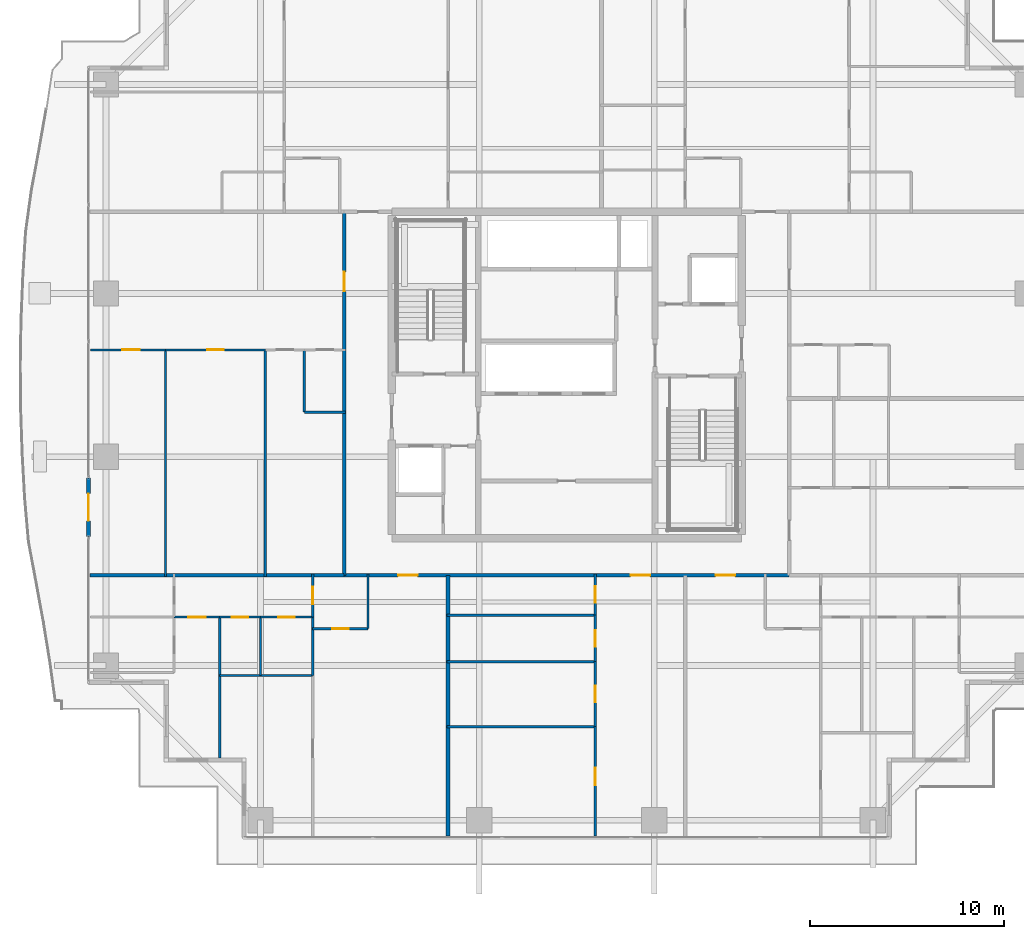
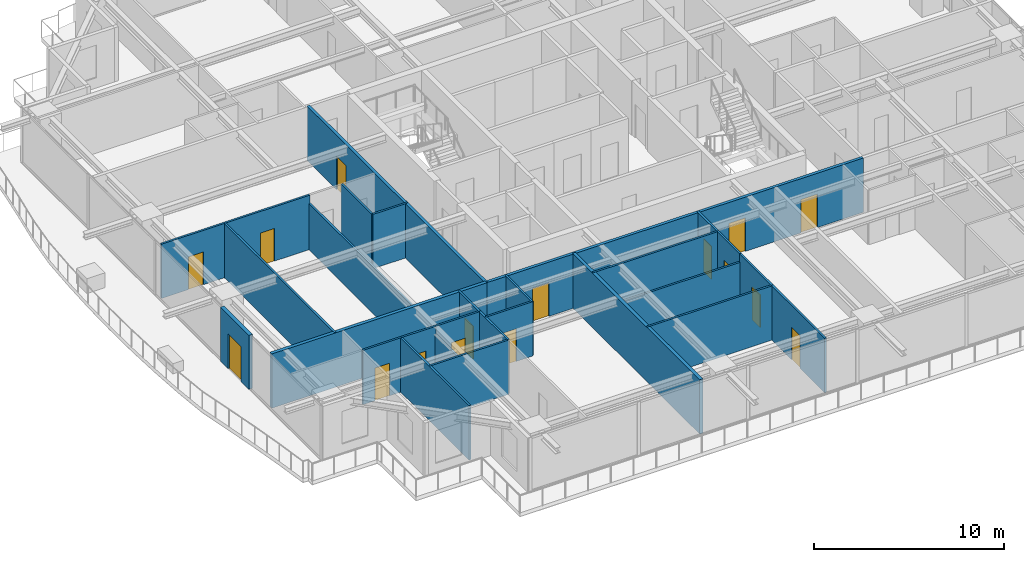
# One storey, part 27 of 38: 28 walls, 16 doors, 16 openings.
"""IFC4 building model written with IfcOpenShell, lengths in metres."""

from ifc_helpers import new_model, si_unit, direction, frame, frame_2d, origin, place, context, subcontext, project, spatial, rectangle, extrude, source, transform, mapped, material, layer, layer_set, type_object, element, fill, save


model = new_model("IFC4")

# Units and contexts
model_context = context("Model", 3, precision=1e-05, world=origin(), true_north=direction((0.0, 1.0)))
body_context = subcontext(model_context, "Body", "Model", "MODEL_VIEW")
ifc_project = project(units=[si_unit("LENGTHUNIT", "METRE"), si_unit("AREAUNIT", "SQUARE_METRE"), si_unit("VOLUMEUNIT", "CUBIC_METRE"), si_unit("PLANEANGLEUNIT", "RADIAN"), si_unit("MASSUNIT", "GRAM", prefix="KILO")], contexts=[model_context])

# Site, building, storey
site_placement = place(None, origin())
site = spatial("IfcSite", under=ifc_project, at=site_placement, CompositionType="ELEMENT")
building_placement = place(site_placement, origin())
building = spatial("IfcBuilding", under=site, at=building_placement, Name="Serunith Strait Residences", CompositionType="ELEMENT")
storey_placement = place(building_placement, frame((0.0, 0.0, 183.89990234375)))
storey = spatial("IfcBuildingStorey", under=building, at=storey_placement, Name="L46", CompositionType="ELEMENT", Elevation=183.89990234375)

# Wall, opening, door
ifc_material_1 = material(Name="Pale-Champagne Aluminium Insulated Panel", Category="aluminium")
ifc_layer_1 = layer(ifc_material_1, 0.219970703125, Name="Pale-Champagne Aluminium Insulated Panel")
ifc_layer_set_1 = layer_set([ifc_layer_1], Name="Pale-Champagne Aluminium Insulated Panel")
wall_type_1 = type_object("IfcWallType", Name="EW-ALUM-220", PredefinedType="ELEMENTEDWALL", material=ifc_layer_set_1)
wall_1_placement = place(storey_placement, frame((7.800048828125, 19.89990234375, 0.0), z_axis=(0.0, 0.0, 1.0), x_axis=(0.0, -1.0, 0.0)))
wall_1 = element("IfcWall", 1, at=wall_1_placement, inside=storey, type_object=wall_type_1, Name="L46 W Facade Pier Wall", PredefinedType="ELEMENTEDWALL", context=body_context, shape_type="SweptSolid", body=[
    extrude(rectangle(XDim=3.0, YDim=0.219970703125, at=frame_2d((1.5, 0.0))), origin(), (0.0, 0.0, 1.0), 3.47509765625),
])
opening_1_placement = place(wall_1_placement, frame((0.800048828125, 0.0, 0.0)))
opening_1 = element("IfcOpeningElement", 2, at=opening_1_placement, cuts=wall_1, Name="Opening ED-04", PredefinedType="OPENING", context=body_context, shape_type="SweptSolid", body=[
    extrude(rectangle(XDim=1.39990234375, YDim=2.25, at=frame_2d((0.699951171875, 1.125))), frame((0.0, 0.1201171875, 0.0), z_axis=(0.0, -1.0, 0.0), x_axis=(1.0, 0.0, 0.0)), (0.0, 0.0, 1.0), 0.239990234375),
])
ifc_material_2 = material(Name="Thermally-Broken Aluminium Sliding Balcony Door", Category="aluminium")
door_type_1 = type_object("IfcDoorType", Name="ED-BALC-1400", OperationType="NOTDEFINED", PredefinedType="DOOR", material=ifc_material_2)
shared_shape_1 = source(origin(), body_context, "Body", "SweptSolid", [
    extrude(rectangle(XDim=1.39990234375, YDim=2.25, at=frame_2d((0.699951171875, 1.125))), frame((0.0, 0.02490234375, 0.0), z_axis=(0.0, -1.0, 0.0), x_axis=(1.0, 0.0, 0.0)), (0.0, 0.0, 1.0), 0.050048828125),
])
door_1_placement = place(opening_1_placement, origin())
door_1 = element("IfcDoor", 3, at=door_1_placement, inside=storey, type_object=door_type_1, Name="L46 W Vertical-Forest Balcony Door", OperationType="SLIDING_TO_LEFT", OverallHeight=2.25, OverallWidth=1.39990234375, PredefinedType="DOOR", context=body_context, shape_type="MappedRepresentation", body=[
    mapped(shared_shape_1, transform((0.0, 0.0, 0.0), scale=1.0)),
])
fill(opening_1, door_1)

# Wall, openings, doors
ifc_material_3 = material(Name="Fire-rated acoustic gypsum partition")
ifc_layer_2 = layer(ifc_material_3, 0.179931640625, Name="Fire-rated acoustic gypsum partition")
ifc_layer_set_2 = layer_set([ifc_layer_2], Name="Fire-rated acoustic gypsum partition")
wall_type_2 = type_object("IfcWallType", Name="IW-CORR-180", PredefinedType="PARTITIONING", material=ifc_layer_set_2)
wall_2_placement = place(storey_placement, frame((20.951904296875, 14.89990234375, 0.0), z_axis=(0.0, 0.0, 1.0), x_axis=(1.0, 0.0, 0.0)))
wall_2 = element("IfcWall", 4, at=wall_2_placement, inside=storey, type_object=wall_type_2, Name="L46 Partition Wall 023", PredefinedType="PARTITIONING", context=body_context, shape_type="SweptSolid", body=[
    extrude(rectangle(XDim=22.89599609375, YDim=0.179931640625, at=frame_2d((11.447998046875, 0.0))), origin(), (0.0, 0.0, 1.0), 3.489990234375),
])
opening_2_placement = place(wall_2_placement, frame((2.781005859375, 0.0, 0.0)))
opening_2 = element("IfcOpeningElement", 5, at=opening_2_placement, cuts=wall_2, Name="Opening D-APT1000", PredefinedType="OPENING", context=body_context, shape_type="SweptSolid", body=[
    extrude(rectangle(XDim=1.0, YDim=2.14990234375, at=frame_2d((0.5, 1.074951171875))), frame((0.0, 0.10009765625, 0.0), z_axis=(0.0, -1.0, 0.0), x_axis=(1.0, 0.0, 0.0)), (0.0, 0.0, 1.0), 0.199951171875),
])
opening_3_placement = place(wall_2_placement, frame((14.736083984375, 0.0, 0.0)))
opening_3 = element("IfcOpeningElement", 6, at=opening_3_placement, cuts=wall_2, Name="Opening D-APT1000", PredefinedType="OPENING", context=body_context, shape_type="SweptSolid", body=[
    extrude(rectangle(XDim=1.0, YDim=2.14990234375, at=frame_2d((0.5, 1.074951171875))), frame((0.0, 0.10009765625, 0.0), z_axis=(0.0, -1.0, 0.0), x_axis=(1.0, 0.0, 0.0)), (0.0, 0.0, 1.0), 0.199951171875),
])
opening_4_placement = place(wall_2_placement, frame((19.114990234375, 0.0, 0.0)))
opening_4 = element("IfcOpeningElement", 7, at=opening_4_placement, cuts=wall_2, Name="Opening D-APT1000", PredefinedType="OPENING", context=body_context, shape_type="SweptSolid", body=[
    extrude(rectangle(XDim=1.0, YDim=2.14990234375, at=frame_2d((0.5, 1.074951171875))), frame((0.0, 0.10009765625, 0.0), z_axis=(0.0, -1.0, 0.0), x_axis=(1.0, 0.0, 0.0)), (0.0, 0.0, 1.0), 0.199951171875),
])
ifc_material_4 = material(Name="Solid timber engineered fire door", Category="wood")
door_type_2 = type_object("IfcDoorType", Name="ID-APT-1000", OperationType="NOTDEFINED", PredefinedType="DOOR", material=ifc_material_4)
shared_shape_2 = source(origin(), body_context, "Body", "SweptSolid", [
    extrude(rectangle(XDim=1.0, YDim=2.14990234375, at=frame_2d((0.5, 1.074951171875))), frame((0.0, 0.02490234375, 0.0), z_axis=(0.0, -1.0, 0.0), x_axis=(1.0, 0.0, 0.0)), (0.0, 0.0, 1.0), 0.050048828125),
])
door_2_placement = place(opening_2_placement, origin())
door_2 = element("IfcDoor", 8, at=door_2_placement, inside=storey, type_object=door_type_2, Name="L46 Unit 01 Entrance Door", OperationType="SINGLE_SWING_LEFT", OverallHeight=2.14990234375, OverallWidth=1.0, PredefinedType="DOOR", context=body_context, shape_type="MappedRepresentation", body=[
    mapped(shared_shape_2, transform((0.0, 0.0, 0.0), scale=1.0)),
])
fill(opening_2, door_2)
door_3_placement = place(opening_3_placement, origin())
door_3 = element("IfcDoor", 9, at=door_3_placement, inside=storey, type_object=door_type_2, Name="L46 Unit 02 Entrance Door", OperationType="SINGLE_SWING_RIGHT", OverallHeight=2.14990234375, OverallWidth=1.0, PredefinedType="DOOR", context=body_context, shape_type="MappedRepresentation", body=[
    mapped(shared_shape_2, transform((0.0, 0.0, 0.0), scale=1.0)),
])
fill(opening_3, door_3)
door_4_placement = place(opening_4_placement, origin())
door_4 = element("IfcDoor", 10, at=door_4_placement, inside=storey, type_object=door_type_2, Name="L46 Unit 03 Entrance Door", OperationType="SINGLE_SWING_LEFT", OverallHeight=2.14990234375, OverallWidth=1.0, PredefinedType="DOOR", context=body_context, shape_type="MappedRepresentation", body=[
    mapped(shared_shape_2, transform((0.0, 0.0, 0.0), scale=1.0)),
])
fill(opening_4, door_4)

# Wall, opening, door
wall_3_placement = place(storey_placement, frame((20.949951171875, 14.89990234375, 0.0), z_axis=(0.0, 0.0, 1.0), x_axis=(0.0, 1.0, 0.0)))
wall_3 = element("IfcWall", 11, at=wall_3_placement, inside=storey, type_object=wall_type_2, Name="L46 Partition Wall 024", PredefinedType="PARTITIONING", context=body_context, shape_type="SweptSolid", body=[
    extrude(rectangle(XDim=18.7001953125, YDim=0.179931640625, at=frame_2d((9.35009765625, 0.0))), origin(), (0.0, 0.0, 1.0), 3.489990234375),
])
opening_5_placement = place(wall_3_placement, frame((14.60302734375, 0.0, 0.0)))
opening_5 = element("IfcOpeningElement", 12, at=opening_5_placement, cuts=wall_3, Name="Opening D-APT1000", PredefinedType="OPENING", context=body_context, shape_type="SweptSolid", body=[
    extrude(rectangle(XDim=1.0, YDim=2.14990234375, at=frame_2d((0.5, 1.074951171875))), frame((0.0, 0.10009765625, 0.0), z_axis=(0.0, -1.0, 0.0), x_axis=(1.0, 0.0, 0.0)), (0.0, 0.0, 1.0), 0.199951171875),
])
door_5_placement = place(opening_5_placement, origin())
door_5 = element("IfcDoor", 13, at=door_5_placement, inside=storey, type_object=door_type_2, Name="L46 Unit 06 Entrance Door", OperationType="SINGLE_SWING_RIGHT", OverallHeight=2.14990234375, OverallWidth=1.0, PredefinedType="DOOR", context=body_context, shape_type="MappedRepresentation", body=[
    mapped(shared_shape_2, transform((0.0, 0.0, 0.0), scale=1.0)),
])
fill(opening_5, door_5)

ifc_material_5 = material(Name="Lightweight steel-stud gypsum partition", Category="steel")
ifc_layer_3 = layer(ifc_material_5, 0.1201171875, Name="Lightweight steel-stud gypsum partition")
ifc_layer_set_3 = layer_set([ifc_layer_3], Name="Lightweight steel-stud gypsum partition")
wall_type_3 = type_object("IfcWallType", Name="IW-PART-120", PredefinedType="PARTITIONING", material=ifc_layer_set_3)
wall_4_placement = place(storey_placement, frame((19.330078125, 12.14990234375, 0.0), z_axis=(0.0, 0.0, 1.0), x_axis=(1.0, 0.0, 0.0)))
wall_4 = element("IfcWall", 14, at=wall_4_placement, inside=storey, type_object=wall_type_3, Name="L46 Partition Wall 028", PredefinedType="PARTITIONING", context=body_context, shape_type="SweptSolid", body=[
    extrude(rectangle(XDim=2.849853515625, YDim=0.1201171875, at=frame_2d((1.4248046875, 0.0))), origin(), (0.0, 0.0, 1.0), 3.489990234375),
])
opening_6_placement = place(wall_4_placement, frame((1.0, 0.0, 0.0)))
opening_6 = element("IfcOpeningElement", 15, at=opening_6_placement, cuts=wall_4, Name="Opening D-RM850", PredefinedType="OPENING", context=body_context, shape_type="SweptSolid", body=[
    extrude(rectangle(XDim=0.85009765625, YDim=2.10009765625, at=frame_2d((0.425048828125, 1.050048828125))), frame((0.0, 0.070068359375, 0.0), z_axis=(0.0, -1.0, 0.0), x_axis=(1.0, 0.0, 0.0)), (0.0, 0.0, 1.0), 0.14013671875),
])
ifc_material_6 = material(Name="Engineered timber flush study and kitchen door", Category="wood")
door_type_3 = type_object("IfcDoorType", Name="ID-ROOM-850", OperationType="NOTDEFINED", PredefinedType="DOOR", material=ifc_material_6)
shared_shape_3 = source(origin(), body_context, "Body", "SweptSolid", [
    extrude(rectangle(XDim=0.85009765625, YDim=2.10009765625, at=frame_2d((0.425048828125, 1.050048828125))), frame((0.0, 0.02490234375, 0.0), z_axis=(0.0, -1.0, 0.0), x_axis=(1.0, 0.0, 0.0)), (0.0, 0.0, 1.0), 0.050048828125),
])
door_6_placement = place(opening_6_placement, origin())
door_6 = element("IfcDoor", 16, at=door_6_placement, inside=storey, type_object=door_type_3, Name="L46 Kitchen 4601 Door", OperationType="SINGLE_SWING_LEFT", OverallHeight=2.10009765625, OverallWidth=0.85009765625, PredefinedType="DOOR", context=body_context, shape_type="MappedRepresentation", body=[
    mapped(shared_shape_3, transform((0.0, 0.0, 0.0), scale=1.0)),
])
fill(opening_6, door_6)

# Wall
wall_5_placement = place(storey_placement, frame((22.179931640625, 12.14990234375, 0.0), z_axis=(0.0, 0.0, 1.0), x_axis=(0.0, 1.0, 0.0)))
element("IfcWall", 17, at=wall_5_placement, inside=storey, type_object=wall_type_3, Name="L46 Partition Wall 029", PredefinedType="PARTITIONING", context=body_context, shape_type="SweptSolid", body=[
    extrude(rectangle(XDim=2.81005859375, YDim=0.1201171875, at=frame_2d((1.405029296875, 0.0))), origin(), (0.0, 0.0, 1.0), 3.489990234375),
])

# Wall, opening, door
wall_6_placement = place(storey_placement, frame((19.330078125, 12.75, 0.0), z_axis=(0.0, 0.0, 1.0), x_axis=(0.0, 1.0, 0.0)))
wall_6 = element("IfcWall", 18, at=wall_6_placement, inside=storey, type_object=wall_type_3, Name="L46 Partition Wall 030", PredefinedType="PARTITIONING", context=body_context, shape_type="SweptSolid", body=[
    extrude(rectangle(XDim=2.2099609375, YDim=0.1201171875, at=frame_2d((1.10498046875, 0.0))), origin(), (0.0, 0.0, 1.0), 3.489990234375),
])
opening_7_placement = place(wall_6_placement, frame((0.655029296875, 0.0, 0.0)))
opening_7 = element("IfcOpeningElement", 19, at=opening_7_placement, cuts=wall_6, Name="Opening D-RM900", PredefinedType="OPENING", context=body_context, shape_type="SweptSolid", body=[
    extrude(rectangle(XDim=0.89990234375, YDim=2.10009765625, at=frame_2d((0.449951171875, 1.050048828125))), frame((0.0, 0.070068359375, 0.0), z_axis=(0.0, -1.0, 0.0), x_axis=(1.0, 0.0, 0.0)), (0.0, 0.0, 1.0), 0.14013671875),
])
ifc_material_7 = material(Name="Engineered timber flush bedroom door", Category="wood")
door_type_4 = type_object("IfcDoorType", Name="ID-ROOM-900", OperationType="NOTDEFINED", PredefinedType="DOOR", material=ifc_material_7)
shared_shape_4 = source(origin(), body_context, "Body", "SweptSolid", [
    extrude(rectangle(XDim=0.89990234375, YDim=2.10009765625, at=frame_2d((0.449951171875, 1.050048828125))), frame((0.0, 0.02490234375, 0.0), z_axis=(0.0, -1.0, 0.0), x_axis=(1.0, 0.0, 0.0)), (0.0, 0.0, 1.0), 0.050048828125),
])
door_7_placement = place(opening_7_placement, origin())
door_7 = element("IfcDoor", 20, at=door_7_placement, inside=storey, type_object=door_type_4, Name="L46 Hall W 4601 Door", OperationType="SINGLE_SWING_RIGHT", OverallHeight=2.10009765625, OverallWidth=0.89990234375, PredefinedType="DOOR", context=body_context, shape_type="MappedRepresentation", body=[
    mapped(shared_shape_4, transform((0.0, 0.0, 0.0), scale=1.0)),
])
fill(opening_7, door_7)

# Walls
wall_7_placement = place(storey_placement, frame((19.330078125, 9.742919921875, 0.0), z_axis=(0.0, 0.0, 1.0), x_axis=(0.0, 1.0, 0.0)))
element("IfcWall", 21, at=wall_7_placement, inside=storey, type_object=wall_type_3, Name="L46 Partition Wall 032", PredefinedType="PARTITIONING", context=body_context, shape_type="SweptSolid", body=[
    extrude(rectangle(XDim=3.005126953125, YDim=0.1201171875, at=frame_2d((1.50244140625, 0.0))), origin(), (0.0, 0.0, 1.0), 3.489990234375),
])
wall_8_placement = place(storey_placement, frame((14.550048828125, 9.740966796875, 0.0), z_axis=(0.0, 0.0, 1.0), x_axis=(1.0, 0.0, 0.0)))
element("IfcWall", 22, at=wall_8_placement, inside=storey, type_object=wall_type_3, Name="L46 Partition Wall 033", PredefinedType="PARTITIONING", context=body_context, shape_type="SweptSolid", body=[
    extrude(rectangle(XDim=4.780029296875, YDim=0.1201171875, at=frame_2d((2.39013671875, 0.0))), origin(), (0.0, 0.0, 1.0), 3.489990234375),
])
wall_9_placement = place(storey_placement, frame((14.550048828125, 5.4951171875, 0.0), z_axis=(0.0, 0.0, 1.0), x_axis=(0.0, 1.0, 0.0)))
element("IfcWall", 23, at=wall_9_placement, inside=storey, type_object=wall_type_3, Name="L46 Partition Wall 034", PredefinedType="PARTITIONING", context=body_context, shape_type="SweptSolid", body=[
    extrude(rectangle(XDim=7.2548828125, YDim=0.1201171875, at=frame_2d((3.62744140625, 0.0))), origin(), (0.0, 0.0, 1.0), 3.489990234375),
])
wall_10_placement = place(storey_placement, frame((16.64990234375, 9.740966796875, 0.0), z_axis=(0.0, 0.0, 1.0), x_axis=(0.0, 1.0, 0.0)))
element("IfcWall", 24, at=wall_10_placement, inside=storey, type_object=wall_type_3, Name="L46 Partition Wall 035", PredefinedType="PARTITIONING", context=body_context, shape_type="SweptSolid", body=[
    extrude(rectangle(XDim=3.009033203125, YDim=0.1201171875, at=frame_2d((1.50439453125, 0.0))), origin(), (0.0, 0.0, 1.0), 2.97216796875),
])

# Wall, opening, door
wall_11_placement = place(storey_placement, frame((14.550048828125, 12.75, 0.0), z_axis=(0.0, 0.0, 1.0), x_axis=(1.0, 0.0, 0.0)))
wall_11 = element("IfcWall", 25, at=wall_11_placement, inside=storey, type_object=wall_type_3, Name="L46 Partition Wall 036", PredefinedType="PARTITIONING", context=body_context, shape_type="SweptSolid", body=[
    extrude(rectangle(XDim=2.099853515625, YDim=0.1201171875, at=frame_2d((1.0498046875, 0.0))), origin(), (0.0, 0.0, 1.0), 3.489990234375),
])
opening_8_placement = place(wall_11_placement, frame((0.625, 0.0, 0.0)))
opening_8 = element("IfcOpeningElement", 26, at=opening_8_placement, cuts=wall_11, Name="Opening D-BTH850", PredefinedType="OPENING", context=body_context, shape_type="SweptSolid", body=[
    extrude(rectangle(XDim=0.85009765625, YDim=2.10009765625, at=frame_2d((0.425048828125, 1.050048828125))), frame((0.0, 0.070068359375, 0.0), z_axis=(0.0, -1.0, 0.0), x_axis=(1.0, 0.0, 0.0)), (0.0, 0.0, 1.0), 0.14013671875),
])
ifc_material_8 = material(Name="Moisture-resistant timber bathroom door", Category="wood")
door_type_5 = type_object("IfcDoorType", Name="ID-BATH-850", OperationType="NOTDEFINED", PredefinedType="DOOR", material=ifc_material_8)
door_8_placement = place(opening_8_placement, origin())
door_8 = element("IfcDoor", 27, at=door_8_placement, inside=storey, type_object=door_type_5, Name="L46 Bathroom 4601 Door", OperationType="SINGLE_SWING_RIGHT", OverallHeight=2.10009765625, OverallWidth=0.85009765625, PredefinedType="DOOR", context=body_context, shape_type="MappedRepresentation", body=[
    mapped(shared_shape_3, transform((0.0, 0.0, 0.0), scale=1.0)),
])
fill(opening_8, door_8)

wall_12_placement = place(storey_placement, frame((16.652099609375, 12.75, 0.0), z_axis=(0.0, 0.0, 1.0), x_axis=(1.0, 0.0, 0.0)))
wall_12 = element("IfcWall", 28, at=wall_12_placement, inside=storey, type_object=wall_type_3, Name="L46 Partition Wall 037", PredefinedType="PARTITIONING", context=body_context, shape_type="SweptSolid", body=[
    extrude(rectangle(XDim=2.677978515625, YDim=0.1201171875, at=frame_2d((1.3388671875, 0.0))), origin(), (0.0, 0.0, 1.0), 3.489990234375),
])
opening_9_placement = place(wall_12_placement, frame((0.9140625, 0.0, 0.0)))
opening_9 = element("IfcOpeningElement", 29, at=opening_9_placement, cuts=wall_12, Name="Opening D-RM850", PredefinedType="OPENING", context=body_context, shape_type="SweptSolid", body=[
    extrude(rectangle(XDim=0.85009765625, YDim=2.10009765625, at=frame_2d((0.425048828125, 1.050048828125))), frame((0.0, 0.070068359375, 0.0), z_axis=(0.0, -1.0, 0.0), x_axis=(1.0, 0.0, 0.0)), (0.0, 0.0, 1.0), 0.14013671875),
])
door_9_placement = place(opening_9_placement, origin())
door_9 = element("IfcDoor", 30, at=door_9_placement, inside=storey, type_object=door_type_3, Name="L46 Laundry Room 4601 Door", OperationType="SINGLE_SWING_LEFT", OverallHeight=2.10009765625, OverallWidth=0.85009765625, PredefinedType="DOOR", context=body_context, shape_type="MappedRepresentation", body=[
    mapped(shared_shape_3, transform((0.0, 0.0, 0.0), scale=1.0)),
])
fill(opening_9, door_9)

wall_13_placement = place(storey_placement, frame((12.199951171875, 12.75, 0.0), z_axis=(0.0, 0.0, 1.0), x_axis=(1.0, 0.0, 0.0)))
wall_13 = element("IfcWall", 31, at=wall_13_placement, inside=storey, type_object=wall_type_3, Name="L46 Partition Wall 038", PredefinedType="PARTITIONING", context=body_context, shape_type="SweptSolid", body=[
    extrude(rectangle(XDim=2.34814453125, YDim=0.1201171875, at=frame_2d((1.174072265625, 0.0))), origin(), (0.0, 0.0, 1.0), 3.489990234375),
])
opening_10_placement = place(wall_13_placement, frame((0.72412109375, 0.0, 0.0)))
opening_10 = element("IfcOpeningElement", 32, at=opening_10_placement, cuts=wall_13, Name="Opening D-RM900", PredefinedType="OPENING", context=body_context, shape_type="SweptSolid", body=[
    extrude(rectangle(XDim=0.89990234375, YDim=2.10009765625, at=frame_2d((0.449951171875, 1.050048828125))), frame((0.0, 0.070068359375, 0.0), z_axis=(0.0, -1.0, 0.0), x_axis=(1.0, 0.0, 0.0)), (0.0, 0.0, 1.0), 0.14013671875),
])
door_10_placement = place(opening_10_placement, origin())
door_10 = element("IfcDoor", 33, at=door_10_placement, inside=storey, type_object=door_type_4, Name="L46 Master Bedroom W 4601 Door", OperationType="SINGLE_SWING_RIGHT", OverallHeight=2.10009765625, OverallWidth=0.89990234375, PredefinedType="DOOR", context=body_context, shape_type="MappedRepresentation", body=[
    mapped(shared_shape_4, transform((0.0, 0.0, 0.0), scale=1.0)),
])
fill(opening_10, door_10)

wall_14_placement = place(storey_placement, frame((33.860107421875, 1.4951171875, 0.0), z_axis=(0.0, 0.0, 1.0), x_axis=(0.0, 1.0, 0.0)))
wall_14 = element("IfcWall", 34, at=wall_14_placement, inside=storey, type_object=wall_type_3, Name="L46 Partition Wall 043", PredefinedType="PARTITIONING", context=body_context, shape_type="SweptSolid", body=[
    extrude(rectangle(XDim=5.617919921875, YDim=0.1201171875, at=frame_2d((2.80908203125, 0.0))), origin(), (0.0, 0.0, 1.0), 3.489990234375),
])
opening_11_placement = place(wall_14_placement, frame((2.594970703125, 0.0, 0.0)))
opening_11 = element("IfcOpeningElement", 35, at=opening_11_placement, cuts=wall_14, Name="Opening D-RM900", PredefinedType="OPENING", context=body_context, shape_type="SweptSolid", body=[
    extrude(rectangle(XDim=0.89990234375, YDim=2.10009765625, at=frame_2d((0.449951171875, 1.050048828125))), frame((0.0, 0.070068359375, 0.0), z_axis=(0.0, -1.0, 0.0), x_axis=(1.0, 0.0, 0.0)), (0.0, 0.0, 1.0), 0.14013671875),
])
door_11_placement = place(opening_11_placement, origin())
door_11 = element("IfcDoor", 36, at=door_11_placement, inside=storey, type_object=door_type_4, Name="L46 Master Bedroom 1 4602 Door", OperationType="SINGLE_SWING_LEFT", OverallHeight=2.10009765625, OverallWidth=0.89990234375, PredefinedType="DOOR", context=body_context, shape_type="MappedRepresentation", body=[
    mapped(shared_shape_4, transform((0.0, 0.0, 0.0), scale=1.0)),
])
fill(opening_11, door_11)

# Walls
wall_15_placement = place(storey_placement, frame((26.239990234375, 7.113037109375, 0.0), z_axis=(0.0, 0.0, 1.0), x_axis=(1.0, 0.0, 0.0)))
element("IfcWall", 37, at=wall_15_placement, inside=storey, type_object=wall_type_3, Name="L46 Partition Wall 044", PredefinedType="PARTITIONING", context=body_context, shape_type="SweptSolid", body=[
    extrude(rectangle(XDim=7.6201171875, YDim=0.1201171875, at=frame_2d((3.81005859375, 0.0))), origin(), (0.0, 0.0, 1.0), 3.489990234375),
])
wall_16_placement = place(storey_placement, frame((26.239990234375, 10.4560546875, 0.0), z_axis=(0.0, 0.0, 1.0), x_axis=(1.0, 0.0, 0.0)))
element("IfcWall", 38, at=wall_16_placement, inside=storey, type_object=wall_type_3, Name="L46 Partition Wall 045", PredefinedType="PARTITIONING", context=body_context, shape_type="SweptSolid", body=[
    extrude(rectangle(XDim=7.6201171875, YDim=0.1201171875, at=frame_2d((3.81005859375, 0.0))), origin(), (0.0, 0.0, 1.0), 2.97216796875),
])
wall_17_placement = place(storey_placement, frame((26.239990234375, 12.85009765625, 0.0), z_axis=(0.0, 0.0, 1.0), x_axis=(1.0, 0.0, 0.0)))
element("IfcWall", 39, at=wall_17_placement, inside=storey, type_object=wall_type_3, Name="L46 Partition Wall 046", PredefinedType="PARTITIONING", context=body_context, shape_type="SweptSolid", body=[
    extrude(rectangle(XDim=7.6201171875, YDim=0.1201171875, at=frame_2d((3.81005859375, 0.0))), origin(), (0.0, 0.0, 1.0), 3.489990234375),
])

# Wall, opening, door
wall_18_placement = place(storey_placement, frame((33.860107421875, 7.114990234375, 0.0), z_axis=(0.0, 0.0, 1.0), x_axis=(0.0, 1.0, 0.0)))
wall_18 = element("IfcWall", 40, at=wall_18_placement, inside=storey, type_object=wall_type_3, Name="L46 Partition Wall 047", PredefinedType="PARTITIONING", context=body_context, shape_type="SweptSolid", body=[
    extrude(rectangle(XDim=3.341064453125, YDim=0.1201171875, at=frame_2d((1.67041015625, 0.0))), origin(), (0.0, 0.0, 1.0), 3.489990234375),
])
opening_12_placement = place(wall_18_placement, frame((1.2451171875, 0.0, 0.0)))
opening_12 = element("IfcOpeningElement", 41, at=opening_12_placement, cuts=wall_18, Name="Opening D-RM850", PredefinedType="OPENING", context=body_context, shape_type="SweptSolid", body=[
    extrude(rectangle(XDim=0.85009765625, YDim=2.10009765625, at=frame_2d((0.425048828125, 1.050048828125))), frame((0.0, 0.070068359375, 0.0), z_axis=(0.0, -1.0, 0.0), x_axis=(1.0, 0.0, 0.0)), (0.0, 0.0, 1.0), 0.14013671875),
])
door_12_placement = place(opening_12_placement, origin())
door_12 = element("IfcDoor", 42, at=door_12_placement, inside=storey, type_object=door_type_3, Name="L46 Dining 4602 Door", OperationType="SINGLE_SWING_RIGHT", OverallHeight=2.10009765625, OverallWidth=0.85009765625, PredefinedType="DOOR", context=body_context, shape_type="MappedRepresentation", body=[
    mapped(shared_shape_3, transform((0.0, 0.0, 0.0), scale=1.0)),
])
fill(opening_12, door_12)

wall_19_placement = place(storey_placement, frame((33.860107421875, 10.4580078125, 0.0), z_axis=(0.0, 0.0, 1.0), x_axis=(0.0, 1.0, 0.0)))
wall_19 = element("IfcWall", 43, at=wall_19_placement, inside=storey, type_object=wall_type_3, Name="L46 Partition Wall 048", PredefinedType="PARTITIONING", context=body_context, shape_type="SweptSolid", body=[
    extrude(rectangle(XDim=2.39208984375, YDim=0.1201171875, at=frame_2d((1.196044921875, 0.0))), origin(), (0.0, 0.0, 1.0), 3.489990234375),
])
opening_13_placement = place(wall_19_placement, frame((0.77099609375, 0.0, 0.0)))
opening_13 = element("IfcOpeningElement", 44, at=opening_13_placement, cuts=wall_19, Name="Opening D-RM850", PredefinedType="OPENING", context=body_context, shape_type="SweptSolid", body=[
    extrude(rectangle(XDim=0.85009765625, YDim=2.10009765625, at=frame_2d((0.425048828125, 1.050048828125))), frame((0.0, 0.070068359375, 0.0), z_axis=(0.0, -1.0, 0.0), x_axis=(1.0, 0.0, 0.0)), (0.0, 0.0, 1.0), 0.14013671875),
])
door_13_placement = place(opening_13_placement, origin())
door_13 = element("IfcDoor", 45, at=door_13_placement, inside=storey, type_object=door_type_3, Name="L46 Kitchen 4602 Door", OperationType="SINGLE_SWING_LEFT", OverallHeight=2.10009765625, OverallWidth=0.85009765625, PredefinedType="DOOR", context=body_context, shape_type="MappedRepresentation", body=[
    mapped(shared_shape_3, transform((0.0, 0.0, 0.0), scale=1.0)),
])
fill(opening_13, door_13)

wall_20_placement = place(storey_placement, frame((33.860107421875, 12.85205078125, 0.0), z_axis=(0.0, 0.0, 1.0), x_axis=(0.0, 1.0, 0.0)))
wall_20 = element("IfcWall", 46, at=wall_20_placement, inside=storey, type_object=wall_type_3, Name="L46 Partition Wall 049", PredefinedType="PARTITIONING", context=body_context, shape_type="SweptSolid", body=[
    extrude(rectangle(XDim=2.10791015625, YDim=0.1201171875, at=frame_2d((1.053955078125, 0.0))), origin(), (0.0, 0.0, 1.0), 3.489990234375),
])
opening_14_placement = place(wall_20_placement, frame((0.62890625, 0.0, 0.0)))
opening_14 = element("IfcOpeningElement", 47, at=opening_14_placement, cuts=wall_20, Name="Opening D-BTH850", PredefinedType="OPENING", context=body_context, shape_type="SweptSolid", body=[
    extrude(rectangle(XDim=0.85009765625, YDim=2.10009765625, at=frame_2d((0.425048828125, 1.050048828125))), frame((0.0, 0.070068359375, 0.0), z_axis=(0.0, -1.0, 0.0), x_axis=(1.0, 0.0, 0.0)), (0.0, 0.0, 1.0), 0.14013671875),
])
door_14_placement = place(opening_14_placement, origin())
door_14 = element("IfcDoor", 48, at=door_14_placement, inside=storey, type_object=door_type_5, Name="L46 Bathroom 4602 Door", OperationType="SINGLE_SWING_RIGHT", OverallHeight=2.10009765625, OverallWidth=0.85009765625, PredefinedType="DOOR", context=body_context, shape_type="MappedRepresentation", body=[
    mapped(shared_shape_3, transform((0.0, 0.0, 0.0), scale=1.0)),
])
fill(opening_14, door_14)

wall_21_placement = place(storey_placement, frame((7.89501953125, 26.489990234375, 0.0), z_axis=(0.0, 0.0, 1.0), x_axis=(1.0, 0.0, 0.0)))
wall_21 = element("IfcWall", 49, at=wall_21_placement, inside=storey, type_object=wall_type_3, Name="L46 Partition Wall 091", PredefinedType="PARTITIONING", context=body_context, shape_type="SweptSolid", body=[
    extrude(rectangle(XDim=3.864013671875, YDim=0.1201171875, at=frame_2d((1.93212890625, 0.0))), origin(), (0.0, 0.0, 1.0), 3.489990234375),
])
opening_15_placement = place(wall_21_placement, frame((1.6298828125, 0.0, 0.0)))
opening_15 = element("IfcOpeningElement", 50, at=opening_15_placement, cuts=wall_21, Name="Opening D-RM900", PredefinedType="OPENING", context=body_context, shape_type="SweptSolid", body=[
    extrude(rectangle(XDim=0.89990234375, YDim=2.10009765625, at=frame_2d((0.449951171875, 1.050048828125))), frame((0.0, 0.070068359375, 0.0), z_axis=(0.0, -1.0, 0.0), x_axis=(1.0, 0.0, 0.0)), (0.0, 0.0, 1.0), 0.14013671875),
])
door_15_placement = place(opening_15_placement, origin())
door_15 = element("IfcDoor", 51, at=door_15_placement, inside=storey, type_object=door_type_4, Name="L46 Master Bedroom 1 4606 Door", OperationType="SINGLE_SWING_LEFT", OverallHeight=2.10009765625, OverallWidth=0.89990234375, PredefinedType="DOOR", context=body_context, shape_type="MappedRepresentation", body=[
    mapped(shared_shape_4, transform((0.0, 0.0, 0.0), scale=1.0)),
])
fill(opening_15, door_15)

# Walls
wall_22_placement = place(storey_placement, frame((11.759033203125, 14.840087890625, 0.0), z_axis=(0.0, 0.0, 1.0), x_axis=(0.0, 1.0, 0.0)))
element("IfcWall", 52, at=wall_22_placement, inside=storey, type_object=wall_type_3, Name="L46 Partition Wall 092", PredefinedType="PARTITIONING", context=body_context, shape_type="SweptSolid", body=[
    extrude(rectangle(XDim=11.64990234375, YDim=0.1201171875, at=frame_2d((5.824951171875, 0.0))), origin(), (0.0, 0.0, 1.0), 3.489990234375),
])
wall_23_placement = place(storey_placement, frame((16.89990234375, 14.840087890625, 0.0), z_axis=(0.0, 0.0, 1.0), x_axis=(0.0, 1.0, 0.0)))
element("IfcWall", 53, at=wall_23_placement, inside=storey, type_object=wall_type_3, Name="L46 Partition Wall 093", PredefinedType="PARTITIONING", context=body_context, shape_type="SweptSolid", body=[
    extrude(rectangle(XDim=11.64990234375, YDim=0.1201171875, at=frame_2d((5.824951171875, 0.0))), origin(), (0.0, 0.0, 1.0), 2.97216796875),
])
wall_24_placement = place(storey_placement, frame((18.89990234375, 23.2900390625, 0.0), z_axis=(0.0, 0.0, 1.0), x_axis=(0.0, 1.0, 0.0)))
element("IfcWall", 54, at=wall_24_placement, inside=storey, type_object=wall_type_3, Name="L46 Partition Wall 094", PredefinedType="PARTITIONING", context=body_context, shape_type="SweptSolid", body=[
    extrude(rectangle(XDim=3.199951171875, YDim=0.1201171875, at=frame_2d((1.60009765625, 0.0))), origin(), (0.0, 0.0, 1.0), 3.489990234375),
])
wall_25_placement = place(storey_placement, frame((18.89990234375, 23.2900390625, 0.0), z_axis=(0.0, 0.0, 1.0), x_axis=(1.0, 0.0, 0.0)))
element("IfcWall", 55, at=wall_25_placement, inside=storey, type_object=wall_type_3, Name="L46 Partition Wall 095", PredefinedType="PARTITIONING", context=body_context, shape_type="SweptSolid", body=[
    extrude(rectangle(XDim=2.110107421875, YDim=0.1201171875, at=frame_2d((1.05517578125, 0.0))), origin(), (0.0, 0.0, 1.0), 3.489990234375),
])

# Wall, opening, door
wall_26_placement = place(storey_placement, frame((11.760986328125, 26.489990234375, 0.0), z_axis=(0.0, 0.0, 1.0), x_axis=(1.0, 0.0, 0.0)))
wall_26 = element("IfcWall", 56, at=wall_26_placement, inside=storey, type_object=wall_type_3, Name="L46 Partition Wall 096", PredefinedType="PARTITIONING", context=body_context, shape_type="SweptSolid", body=[
    extrude(rectangle(XDim=5.138916015625, YDim=0.1201171875, at=frame_2d((2.5693359375, 0.0))), origin(), (0.0, 0.0, 1.0), 3.489990234375),
])
opening_16_placement = place(wall_26_placement, frame((2.14404296875, 0.0, 0.0)))
opening_16 = element("IfcOpeningElement", 57, at=opening_16_placement, cuts=wall_26, Name="Opening D-RM850", PredefinedType="OPENING", context=body_context, shape_type="SweptSolid", body=[
    extrude(rectangle(XDim=0.85009765625, YDim=2.10009765625, at=frame_2d((0.425048828125, 1.050048828125))), frame((0.0, 0.070068359375, 0.0), z_axis=(0.0, -1.0, 0.0), x_axis=(1.0, 0.0, 0.0)), (0.0, 0.0, 1.0), 0.14013671875),
])
door_16_placement = place(opening_16_placement, origin())
door_16 = element("IfcDoor", 58, at=door_16_placement, inside=storey, type_object=door_type_3, Name="L46 Dining 4606 Door", OperationType="SINGLE_SWING_RIGHT", OverallHeight=2.10009765625, OverallWidth=0.85009765625, PredefinedType="DOOR", context=body_context, shape_type="MappedRepresentation", body=[
    mapped(shared_shape_3, transform((0.0, 0.0, 0.0), scale=1.0)),
])
fill(opening_16, door_16)

# Walls
ifc_material_9 = material(Name="Twin-stud acoustic gypsum board partition")
ifc_layer_4 = layer(ifc_material_9, 0.199951171875, Name="Twin-stud acoustic gypsum board partition")
ifc_layer_set_4 = layer_set([ifc_layer_4], Name="Twin-stud acoustic gypsum board partition")
wall_type_4 = type_object("IfcWallType", Name="IW-PARTY-200", PredefinedType="PARTITIONING", material=ifc_layer_set_4)
wall_27_placement = place(storey_placement, frame((26.300048828125, 1.48193359375, 0.0), z_axis=(0.0, 0.0, 1.0), x_axis=(0.0, 1.0, 0.0)))
element("IfcWall", 59, at=wall_27_placement, inside=storey, type_object=wall_type_4, Name="L46 Partition Wall 015", PredefinedType="PARTITIONING", context=body_context, shape_type="SweptSolid", body=[
    extrude(rectangle(XDim=13.41796875, YDim=0.199951171875, at=frame_2d((6.708984375, 0.0))), origin(), (0.0, 0.0, 1.0), 3.489990234375),
])
wall_28_placement = place(storey_placement, frame((7.882080078125, 14.89990234375, 0.0), z_axis=(0.0, 0.0, 1.0), x_axis=(1.0, 0.0, 0.0)))
element("IfcWall", 60, at=wall_28_placement, inside=storey, type_object=wall_type_4, Name="L46 Partition Wall 019", PredefinedType="PARTITIONING", context=body_context, shape_type="SweptSolid", body=[
    extrude(rectangle(XDim=13.06787109375, YDim=0.199951171875, at=frame_2d((6.533935546875, 0.0))), origin(), (0.0, 0.0, 1.0), 3.489990234375),
])

save(model, "model.ifc")
